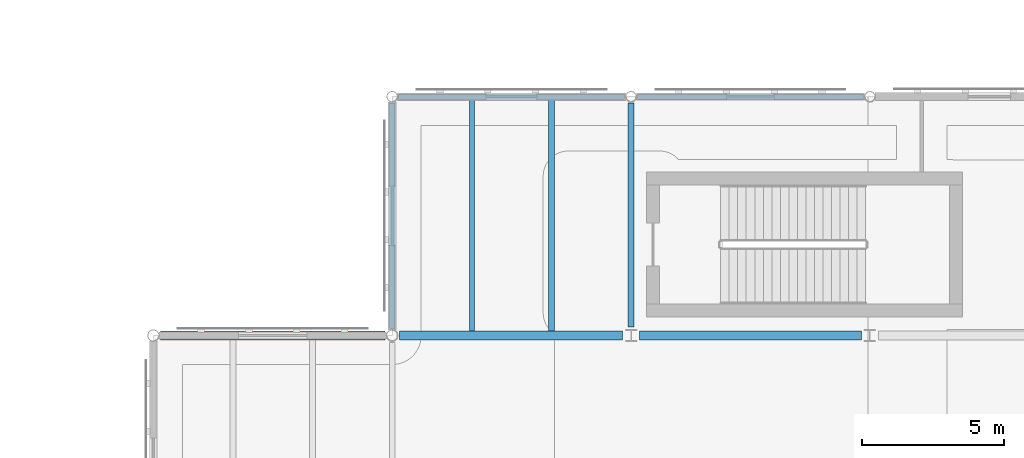
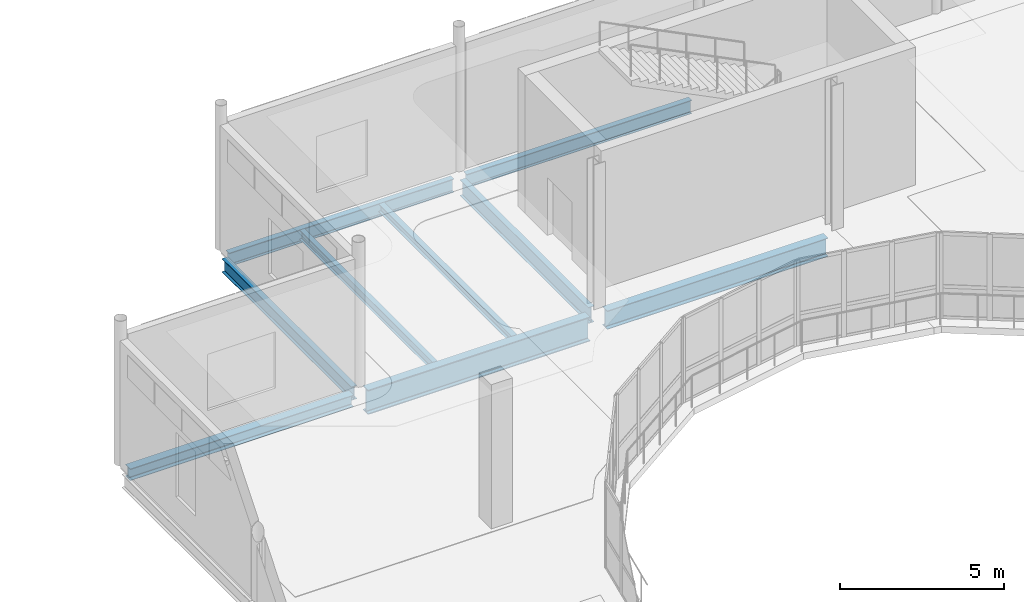
# One storey, part 24 of 110: 9 beams.
"""IFC4 building model written with IfcOpenShell, lengths in metres."""

from ifc_helpers import new_model, si_unit, direction, frame, origin, origin_2d, place, context, subcontext, project, spatial, i_section, extrude, material, material_profile, profile_set, type_object, element, save


model = new_model("IFC4")

# Units and contexts
model_context = context("Model", 3, precision=1e-05, world=origin(), true_north=direction((0.0, 1.0)))
body_context = subcontext(model_context, "Body", "Model", "MODEL_VIEW")
ifc_project = project(units=[si_unit("LENGTHUNIT", "METRE"), si_unit("AREAUNIT", "SQUARE_METRE"), si_unit("VOLUMEUNIT", "CUBIC_METRE"), si_unit("PLANEANGLEUNIT", "RADIAN"), si_unit("MASSUNIT", "GRAM", prefix="KILO"), si_unit("THERMODYNAMICTEMPERATUREUNIT", "KELVIN")], contexts=[model_context])

# Site, building, storey
site_placement = place(None, origin())
site = spatial("IfcSite", under=ifc_project, at=site_placement, CompositionType="ELEMENT")
building_placement = place(site_placement, origin())
building = spatial("IfcBuilding", under=site, at=building_placement, Name="Lustrewick Department Store", CompositionType="ELEMENT")
storey_placement = place(building_placement, frame((0.0, 0.0, 6.0)))
storey = spatial("IfcBuildingStorey", under=building, at=storey_placement, Name="L02", CompositionType="ELEMENT", Elevation=6.0)

# Beams
ifc_material_1 = material(Name="Structural steel Q355B", Category="steel")
ifc_material_profile_1 = material_profile(ifc_material_1, i_section(OverallWidth=0.174072265625, OverallDepth=0.345947265625, WebThickness=0.006103515625, FlangeThickness=0.009033203125, FilletRadius=0.012939453125, at=origin_2d()), Name="HN 346x174x6x9")
ifc_profile_set_1 = profile_set([ifc_material_profile_1], Name="Structural steel Q355B")
beam_type_1 = type_object("IfcBeamType", Name="B10", PredefinedType="JOIST", material=ifc_profile_set_1)
beam_1_placement = place(storey_placement, frame((19.60009765625, 84.15087890625, -0.427978515625), z_axis=(0.0, 1.0, 0.0), x_axis=(-1.0, 0.0, 0.0)))
element("IfcBeam", 1, at=beam_1_placement, inside=storey, type_object=beam_type_1, Name="L02 V1 Secondary Joist B10", PredefinedType="JOIST", context=body_context, shape_type="SweptSolid", body=[
    extrude(i_section(OverallWidth=0.174072265625, OverallDepth=0.345947265625, WebThickness=0.006103515625, FlangeThickness=0.009033203125, FilletRadius=0.012939453125, at=origin_2d()), origin(), (0.0, 0.0, 1.0), 8.148681640625),
])
ifc_material_profile_2 = material_profile(ifc_material_1, i_section(OverallWidth=0.199951171875, OverallDepth=0.2939453125, WebThickness=0.008056640625, FlangeThickness=0.011962890625, FilletRadius=0.013916015625, at=origin_2d()), Name="HM 294x200x8x12")
ifc_profile_set_2 = profile_set([ifc_material_profile_2], Name="Structural steel Q355B")
beam_type_2 = type_object("IfcBeamType", Name="B13", PredefinedType="JOIST", material=ifc_profile_set_2)
beam_2_placement = place(storey_placement, frame((22.39990234375, 84.15087890625, -0.402099609375), z_axis=(0.0, 1.0, 0.0), x_axis=(-1.0, 0.0, 0.0)))
element("IfcBeam", 2, at=beam_2_placement, inside=storey, type_object=beam_type_2, Name="L02 V1 Secondary Joist B13", PredefinedType="JOIST", context=body_context, shape_type="SweptSolid", body=[
    extrude(i_section(OverallWidth=0.199951171875, OverallDepth=0.2939453125, WebThickness=0.008056640625, FlangeThickness=0.011962890625, FilletRadius=0.013916015625, at=origin_2d()), origin(), (0.0, 0.0, 1.0), 8.148681640625),
])
ifc_material_2 = material(Name="Structural steel Q355C", Category="steel")
ifc_material_profile_3 = material_profile(ifc_material_2, i_section(OverallWidth=0.302001953125, OverallDepth=0.912109375, WebThickness=0.01806640625, FlangeThickness=0.033935546875, FilletRadius=0.02392578125, at=origin_2d()), Name="HN 912x302x18x34")
ifc_profile_set_3 = profile_set([ifc_material_profile_3], Name="Structural steel Q355C")
beam_type_3 = type_object("IfcBeamType", Name="G01", PredefinedType="BEAM", material=ifc_profile_set_3)
beam_3_placement = place(storey_placement, frame((17.053955078125, 84.0, -0.7109375), z_axis=(1.0, 0.0, 0.0), x_axis=(0.0, 1.0, 0.0)))
element("IfcBeam", 3, at=beam_3_placement, inside=storey, type_object=beam_type_3, Name="L02 V1 Girder G01", PredefinedType="BEAM", context=body_context, shape_type="SweptSolid", body=[
    extrude(i_section(OverallWidth=0.302001953125, OverallDepth=0.912109375, WebThickness=0.01806640625, FlangeThickness=0.033935546875, FilletRadius=0.02392578125, at=origin_2d()), origin(), (0.0, 0.0, 1.0), 7.845947265625),
])
ifc_material_profile_4 = material_profile(ifc_material_1, i_section(OverallWidth=0.300048828125, OverallDepth=0.69189453125, WebThickness=0.012939453125, FlangeThickness=0.02001953125, FilletRadius=0.02001953125, at=origin_2d()), Name="HN 692x300x13x20")
ifc_profile_set_4 = profile_set([ifc_material_profile_4], Name="Structural steel Q355B")
beam_type_4 = type_object("IfcBeamType", Name="G09", PredefinedType="BEAM", material=ifc_profile_set_4)
beam_4_placement = place(storey_placement, frame((25.5, 84.0, -0.60107421875), z_axis=(1.0, 0.0, 0.0), x_axis=(0.0, 1.0, 0.0)))
element("IfcBeam", 4, at=beam_4_placement, inside=storey, type_object=beam_type_4, Name="L02 V1 Girder G09", PredefinedType="BEAM", context=body_context, shape_type="SweptSolid", body=[
    extrude(i_section(OverallWidth=0.300048828125, OverallDepth=0.69189453125, WebThickness=0.012939453125, FlangeThickness=0.02001953125, FilletRadius=0.02001953125, at=origin_2d()), origin(), (0.0, 0.0, 1.0), 7.800048828125),
])
ifc_material_profile_5 = material_profile(ifc_material_1, i_section(OverallWidth=0.199951171875, OverallDepth=0.60009765625, WebThickness=0.010986328125, FlangeThickness=0.01708984375, FilletRadius=0.01806640625, at=origin_2d()), Name="HN 600x200x11x17")
ifc_profile_set_5 = profile_set([ifc_material_profile_5], Name="Structural steel Q355B")
beam_type_5 = type_object("IfcBeamType", Name="G14", PredefinedType="BEAM", material=ifc_profile_set_5)
beam_5_placement = place(storey_placement, frame((25.199951171875, 84.300048828125, -0.554931640625), z_axis=(0.0, 1.0, 0.0), x_axis=(-1.0, 0.0, 0.0)))
element("IfcBeam", 5, at=beam_5_placement, inside=storey, type_object=beam_type_5, Name="L02 V1 Girder G14", PredefinedType="BEAM", context=body_context, shape_type="SweptSolid", body=[
    extrude(i_section(OverallWidth=0.199951171875, OverallDepth=0.60009765625, WebThickness=0.010986328125, FlangeThickness=0.01708984375, FilletRadius=0.01806640625, at=origin_2d()), origin(), (0.0, 0.0, 1.0), 7.871337890625),
])
ifc_material_profile_6 = material_profile(ifc_material_1, i_section(OverallWidth=0.200927734375, OverallDepth=0.506103515625, WebThickness=0.010986328125, FlangeThickness=0.01904296875, FilletRadius=0.01611328125, at=origin_2d()), Name="HN 506x201x11x19")
ifc_profile_set_6 = profile_set([ifc_material_profile_6], Name="Structural steel Q355B")
beam_type_6 = type_object("IfcBeamType", Name="SP01", PredefinedType="SPANDREL", material=ifc_profile_set_6)
beam_6_placement = place(storey_placement, frame((17.028564453125, 92.39990234375, -0.508056640625), z_axis=(1.0, 0.0, 0.0), x_axis=(0.0, 1.0, 0.0)))
element("IfcBeam", 6, at=beam_6_placement, inside=storey, type_object=beam_type_6, Name="L02 V1 Girder SP01", PredefinedType="SPANDREL", context=body_context, shape_type="SweptSolid", body=[
    extrude(i_section(OverallWidth=0.200927734375, OverallDepth=0.506103515625, WebThickness=0.010986328125, FlangeThickness=0.01904296875, FilletRadius=0.01611328125, at=origin_2d()), origin(), (0.0, 0.0, 1.0), 7.94287109375),
])
beam_7_placement = place(storey_placement, frame((25.428466796875, 92.39990234375, -0.508056640625), z_axis=(1.0, 0.0, 0.0), x_axis=(0.0, 1.0, 0.0)))
element("IfcBeam", 7, at=beam_7_placement, inside=storey, type_object=beam_type_6, Name="L02 V1 Girder SP01", PredefinedType="SPANDREL", context=body_context, shape_type="SweptSolid", body=[
    extrude(i_section(OverallWidth=0.200927734375, OverallDepth=0.506103515625, WebThickness=0.010986328125, FlangeThickness=0.01904296875, FilletRadius=0.01611328125, at=origin_2d()), origin(), (0.0, 0.0, 1.0), 7.943115234375),
])
beam_8_placement = place(storey_placement, frame((16.800048828125, 84.25390625, -0.508056640625), z_axis=(0.0, 1.0, 0.0), x_axis=(-1.0, 0.0, 0.0)))
element("IfcBeam", 8, at=beam_8_placement, inside=storey, type_object=beam_type_6, Name="L02 V1 Girder SP01", PredefinedType="SPANDREL", context=body_context, shape_type="SweptSolid", body=[
    extrude(i_section(OverallWidth=0.200927734375, OverallDepth=0.506103515625, WebThickness=0.010986328125, FlangeThickness=0.01904296875, FilletRadius=0.01611328125, at=origin_2d()), origin(), (0.0, 0.0, 1.0), 7.91748046875),
])
ifc_material_profile_7 = material_profile(ifc_material_1, i_section(OverallWidth=0.300048828125, OverallDepth=0.43994140625, WebThickness=0.010986328125, FlangeThickness=0.01806640625, FilletRadius=0.02001953125, at=origin_2d()), Name="HM 440x300x11x18")
ifc_profile_set_7 = profile_set([ifc_material_profile_7], Name="Structural steel Q355B")
beam_type_7 = type_object("IfcBeamType", Name="SP02", PredefinedType="SPANDREL", material=ifc_profile_set_7)
beam_9_placement = place(storey_placement, frame((8.654052734375, 84.0, -0.47509765625), z_axis=(1.0, 0.0, 0.0), x_axis=(0.0, 1.0, 0.0)))
element("IfcBeam", 9, at=beam_9_placement, inside=storey, type_object=beam_type_7, Name="L02 V1 Girder SP02", PredefinedType="SPANDREL", context=body_context, shape_type="SweptSolid", body=[
    extrude(i_section(OverallWidth=0.300048828125, OverallDepth=0.43994140625, WebThickness=0.010986328125, FlangeThickness=0.01806640625, FilletRadius=0.02001953125, at=origin_2d()), origin(), (0.0, 0.0, 1.0), 7.891845703125),
])

save(model, "model.ifc")
